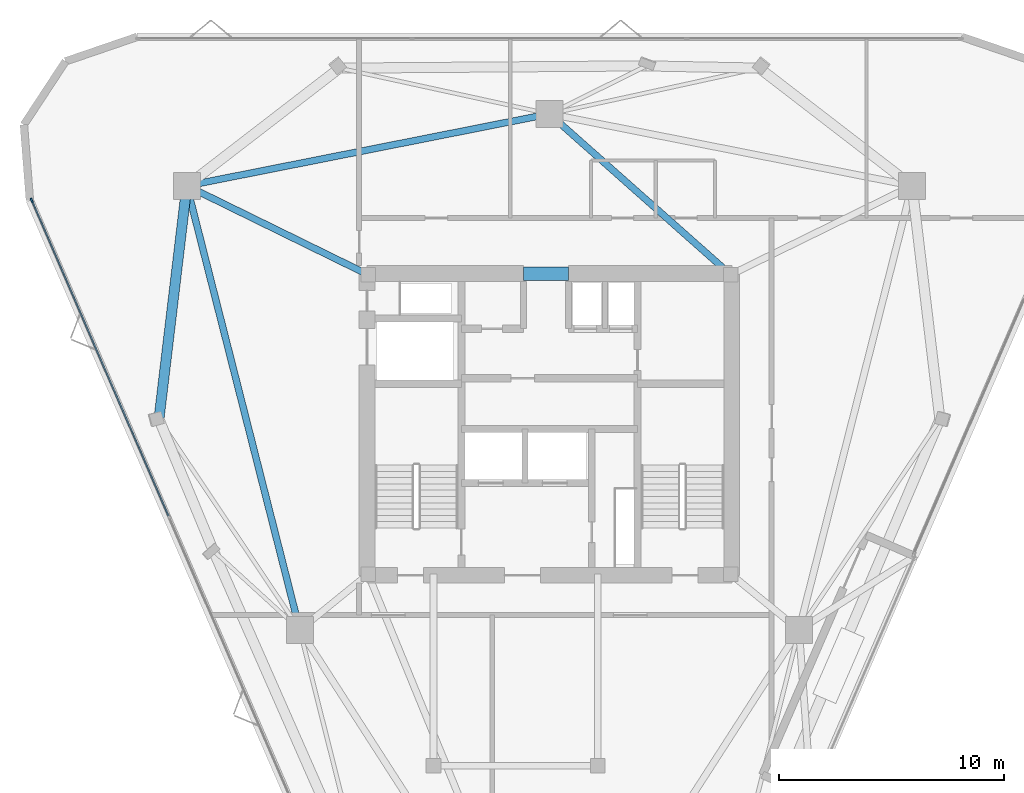
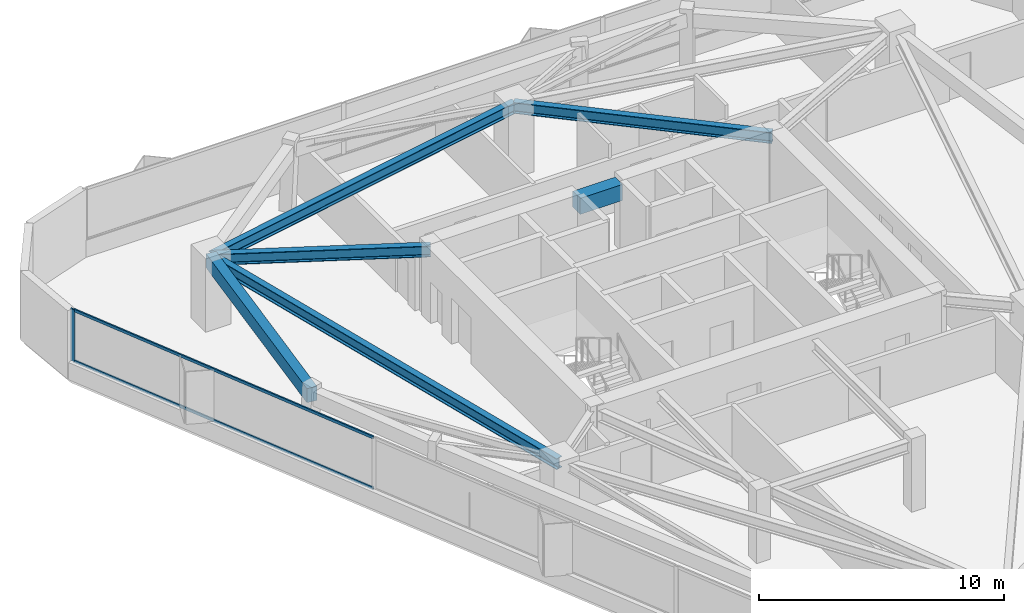
# One storey, part 4 of 10: 6 beams, 3 members, 1 element without a shape of its own.
"""IFC4 building model written with IfcOpenShell, lengths in metres."""

from ifc_helpers import new_model, si_unit, direction, frame, origin, origin_2d, place, context, subcontext, project, spatial, rectangle, i_section, extrude, material, layer, layer_set, material_profile, profile_set, type_object, element, aggregate, save


model = new_model("IFC4")

# Units and contexts
model_context = context("Model", 3, precision=1e-05, world=origin(), true_north=direction((0.0, 1.0)))
body_context = subcontext(model_context, "Body", "Model", "MODEL_VIEW")
ifc_project = project(units=[si_unit("LENGTHUNIT", "METRE"), si_unit("AREAUNIT", "SQUARE_METRE"), si_unit("VOLUMEUNIT", "CUBIC_METRE"), si_unit("PLANEANGLEUNIT", "RADIAN"), si_unit("MASSUNIT", "GRAM", prefix="KILO")], contexts=[model_context])

# Site, building, storey
site_placement = place(None, origin())
site = spatial("IfcSite", under=ifc_project, at=site_placement, CompositionType="ELEMENT")
building_placement = place(site_placement, origin())
building = spatial("IfcBuilding", under=site, at=building_placement, Name="Talyreon Biosciences Tower", CompositionType="ELEMENT")
storey_placement = place(building_placement, frame((0.0, 0.0, 253.5)))
storey = spatial("IfcBuildingStorey", under=building, at=storey_placement, Name="L67", CompositionType="ELEMENT", Elevation=253.5)

# Curtain wall, members
ifc_material_1 = material(Name="Thermally broken aluminium and low-E glazing", Category="aluminium")
ifc_layer = layer(ifc_material_1, 0.205078125)
ifc_layer_set = layer_set([ifc_layer], Name="Thermally broken aluminium and low-E glazing")
curtain_wall_type = type_object("IfcCurtainWallType", Name="CurtainWall_SkyGardenLoggia", PredefinedType="NOTDEFINED", material=ifc_layer_set)
curtain_wall_placement = place(storey_placement, origin())
curtain_wall = element("IfcCurtainWall", 1, at=curtain_wall_placement, inside=storey, type_object=curtain_wall_type, Name="L67 Unitised Curtain Wall FCW-L67-15", PredefinedType="NOTDEFINED")
ifc_material_2 = material(Name="Anodised thermally broken aluminium", Category="aluminium")
ifc_material_profile_1 = material_profile(ifc_material_2, rectangle(XDim=0.074951171875, YDim=0.2099609375, at=origin_2d()), Name="ALUM MULLION 75x210")
ifc_profile_set_1 = profile_set([ifc_material_profile_1], Name="Anodised thermally broken aluminium")
member_type_1 = type_object("IfcMemberType", Name="CWMullion_75x210", PredefinedType="MULLION", material=ifc_profile_set_1)
member_1_placement = place(storey_placement, frame((43.012939453125, 77.947998046875, 0.81005859375), z_axis=(0.0, 0.0, 1.0), x_axis=(-0.91758594353, -0.397537465198, 0.0)))
member_1 = element("IfcMember", 2, at=member_1_placement, type_object=member_type_1, Name="CW7 mullion 4", PredefinedType="MULLION", context=body_context, shape_type="SweptSolid", body=[
    extrude(rectangle(XDim=0.074951171875, YDim=0.2099609375, at=origin_2d()), origin(), (0.0, 0.0, 1.0), 2.58984375),
])
ifc_material_profile_2 = material_profile(ifc_material_2, rectangle(XDim=0.06494140625, YDim=0.139892578125, at=origin_2d()), Name="ALUM TRANSOM 65x140")
ifc_profile_set_2 = profile_set([ifc_material_profile_2], Name="Anodised thermally broken aluminium")
member_type_2 = type_object("IfcMemberType", Name="CWTransom_65x140", PredefinedType="USERDEFINED", material=ifc_profile_set_2)
member_2_placement = place(storey_placement, frame((49.08447265625, 63.933837890625, 0.842529296875), z_axis=(-0.39753863111, 0.917585438406, 0.0), x_axis=(-0.917585438406, -0.39753863111, 0.0)))
member_2 = element("IfcMember", 3, at=member_2_placement, type_object=member_type_2, Name="CW7 transom 3.1", ObjectType="TRANSOM", PredefinedType="USERDEFINED", context=body_context, shape_type="SweptSolid", body=[
    extrude(rectangle(XDim=0.06494140625, YDim=0.139892578125, at=origin_2d()), origin(), (0.0, 0.0, 1.0), 15.2353515625),
])
member_3_placement = place(storey_placement, frame((49.08447265625, 63.933837890625, 3.367431640625), z_axis=(-0.39753863111, 0.917585438406, 0.0), x_axis=(-0.917585438406, -0.39753863111, 0.0)))
member_3 = element("IfcMember", 4, at=member_3_placement, type_object=member_type_2, Name="CW7 transom 3.2", ObjectType="TRANSOM", PredefinedType="USERDEFINED", context=body_context, shape_type="SweptSolid", body=[
    extrude(rectangle(XDim=0.06494140625, YDim=0.139892578125, at=origin_2d()), origin(), (0.0, 0.0, 1.0), 15.2353515625),
])
aggregate(curtain_wall, [member_1, member_2, member_3])

# Beams
ifc_material_3 = material(Name="Concrete C50/60", Category="concrete")
ifc_material_profile_3 = material_profile(ifc_material_3, rectangle(XDim=0.60009765625, YDim=0.800048828125, at=origin_2d()), Name="RCB 600x800")
ifc_profile_set_3 = profile_set([ifc_material_profile_3], Name="Concrete C50/60")
beam_type_1 = type_object("IfcBeamType", Name="CoreCouplingLintel_600x800", PredefinedType="LINTEL", material=ifc_profile_set_3)
beam_1_placement = place(storey_placement, frame((64.85009765625, 74.699951171875, 3.0), z_axis=(1.0, 0.0, 0.0), x_axis=(0.0, 1.0, 0.0)))
element("IfcBeam", 5, at=beam_1_placement, inside=storey, type_object=beam_type_1, Name="L67 Core Coupling Lintel", PredefinedType="LINTEL", context=body_context, shape_type="SweptSolid", body=[
    extrude(rectangle(XDim=0.60009765625, YDim=0.800048828125, at=origin_2d()), origin(), (0.0, 0.0, 1.0), 2.0),
])
ifc_material_4 = material(Name="Precast concrete C45/55", Category="concrete")
ifc_material_profile_4 = material_profile(ifc_material_4, rectangle(XDim=0.449951171875, YDim=0.699951171875, at=origin_2d()), Name="RCB 450x700")
ifc_profile_set_4 = profile_set([ifc_material_profile_4], Name="Precast concrete C45/55")
beam_type_2 = type_object("IfcBeamType", Name="ExpressedSpandrel_450x700", PredefinedType="SPANDREL", material=ifc_profile_set_4)
beam_2_placement = place(storey_placement, frame((49.897705078125, 78.5986328125, 3.050048828125), z_axis=(-0.118595894034, -0.992942603537, 0.0), x_axis=(0.992942603537, -0.118595894034, 0.0)))
element("IfcBeam", 6, at=beam_2_placement, inside=storey, type_object=beam_type_2, Name="L67 Expressed Horizontal Concrete Spandrel 09", PredefinedType="SPANDREL", context=body_context, shape_type="SweptSolid", body=[
    extrude(rectangle(XDim=0.449951171875, YDim=0.699951171875, at=origin_2d()), origin(), (0.0, 0.0, 1.0), 10.4453125),
])
ifc_material_5 = material(Name="Steel SM355", Category="steel")
ifc_material_profile_5 = material_profile(ifc_material_5, i_section(OverallWidth=0.300048828125, OverallDepth=0.550048828125, WebThickness=0.014892578125, FlangeThickness=0.029052734375, FilletRadius=0.027099609375, at=origin_2d()), Name="HE550B")
ifc_profile_set_5 = profile_set([ifc_material_profile_5], Name="Steel SM355")
beam_type_3 = type_object("IfcBeamType", Name="SteelBeam_HE550B", PredefinedType="BEAM", material=ifc_profile_set_5)
beam_3_placement = place(storey_placement, frame((66.0, 81.788818359375, 3.125), z_axis=(-0.980933730698, -0.194342522311, 0.0), x_axis=(0.194342522311, -0.980933730698, 0.0)))
element("IfcBeam", 7, at=beam_3_placement, inside=storey, type_object=beam_type_3, Name="L67 Mega-Ring Girder 4", PredefinedType="BEAM", context=body_context, shape_type="SweptSolid", body=[
    extrude(i_section(OverallWidth=0.300048828125, OverallDepth=0.550048828125, WebThickness=0.014892578125, FlangeThickness=0.029052734375, FilletRadius=0.027099609375, at=origin_2d()), origin(), (0.0, 0.0, 1.0), 16.415283203125),
])
beam_4_placement = place(storey_placement, frame((49.897705078125, 78.5986328125, 3.125), z_axis=(0.246537082299, -0.969133358755, 0.0), x_axis=(0.969133358755, 0.246537082299, 0.0)))
element("IfcBeam", 8, at=beam_4_placement, inside=storey, type_object=beam_type_3, Name="L67 Mega-Ring Girder 5", PredefinedType="BEAM", context=body_context, shape_type="SweptSolid", body=[
    extrude(i_section(OverallWidth=0.300048828125, OverallDepth=0.550048828125, WebThickness=0.014892578125, FlangeThickness=0.029052734375, FilletRadius=0.027099609375, at=origin_2d()), origin(), (0.0, 0.0, 1.0), 20.34619140625),
])
beam_5_placement = place(storey_placement, frame((74.050048828125, 74.64990234375, 3.125), z_axis=(-0.748178733955, 0.663497235908, 0.0), x_axis=(-0.663497235908, -0.748178733955, 0.0)))
element("IfcBeam", 9, at=beam_5_placement, inside=storey, type_object=beam_type_3, Name="L67 Radial Primary Girder 4", PredefinedType="BEAM", context=body_context, shape_type="SweptSolid", body=[
    extrude(i_section(OverallWidth=0.300048828125, OverallDepth=0.550048828125, WebThickness=0.014892578125, FlangeThickness=0.029052734375, FilletRadius=0.027099609375, at=origin_2d()), origin(), (0.0, 0.0, 1.0), 10.759521484375),
])
beam_6_placement = place(storey_placement, frame((57.949951171875, 74.64990234375, 3.125), z_axis=(-0.897852360314, 0.440296648952, 0.0), x_axis=(-0.440296648952, -0.897852360314, 0.0)))
element("IfcBeam", 10, at=beam_6_placement, inside=storey, type_object=beam_type_3, Name="L67 Radial Primary Girder 5", PredefinedType="BEAM", context=body_context, shape_type="SweptSolid", body=[
    extrude(i_section(OverallWidth=0.300048828125, OverallDepth=0.550048828125, WebThickness=0.014892578125, FlangeThickness=0.029052734375, FilletRadius=0.027099609375, at=origin_2d()), origin(), (0.0, 0.0, 1.0), 8.96826171875),
])

save(model, "model.ifc")
